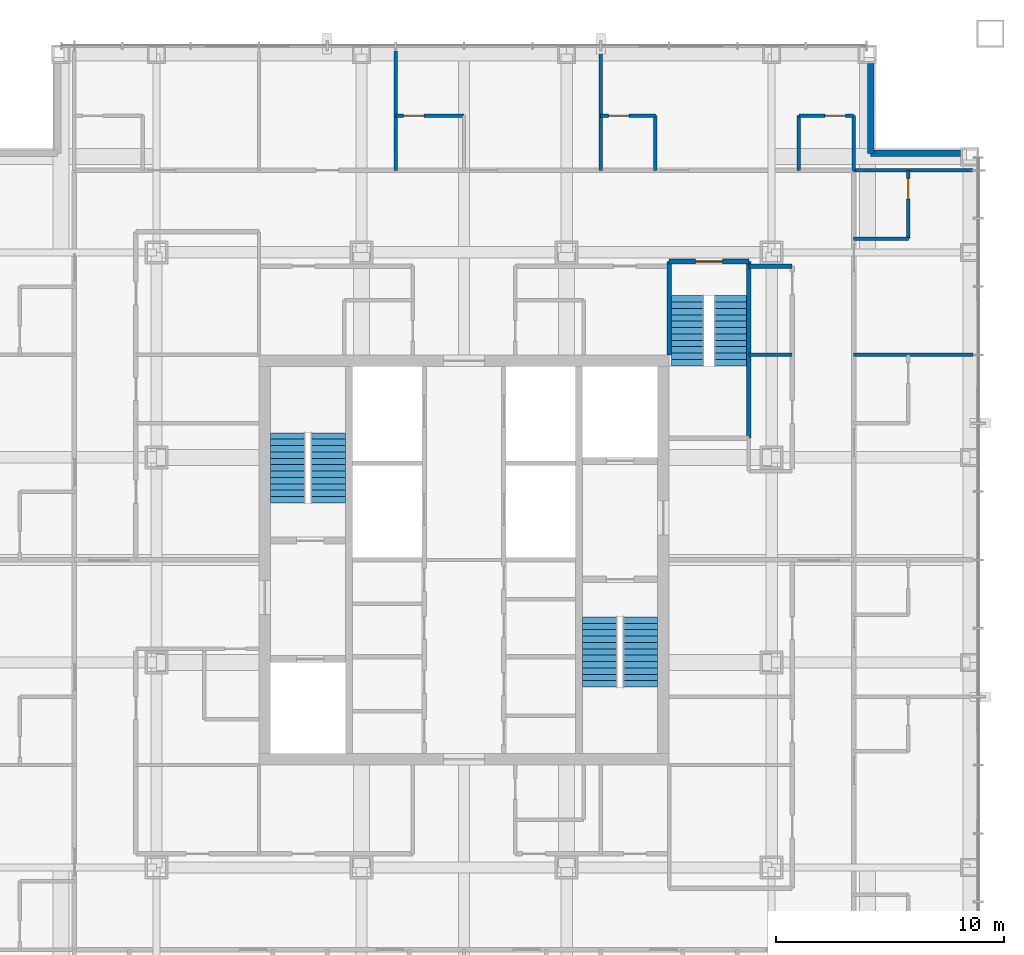
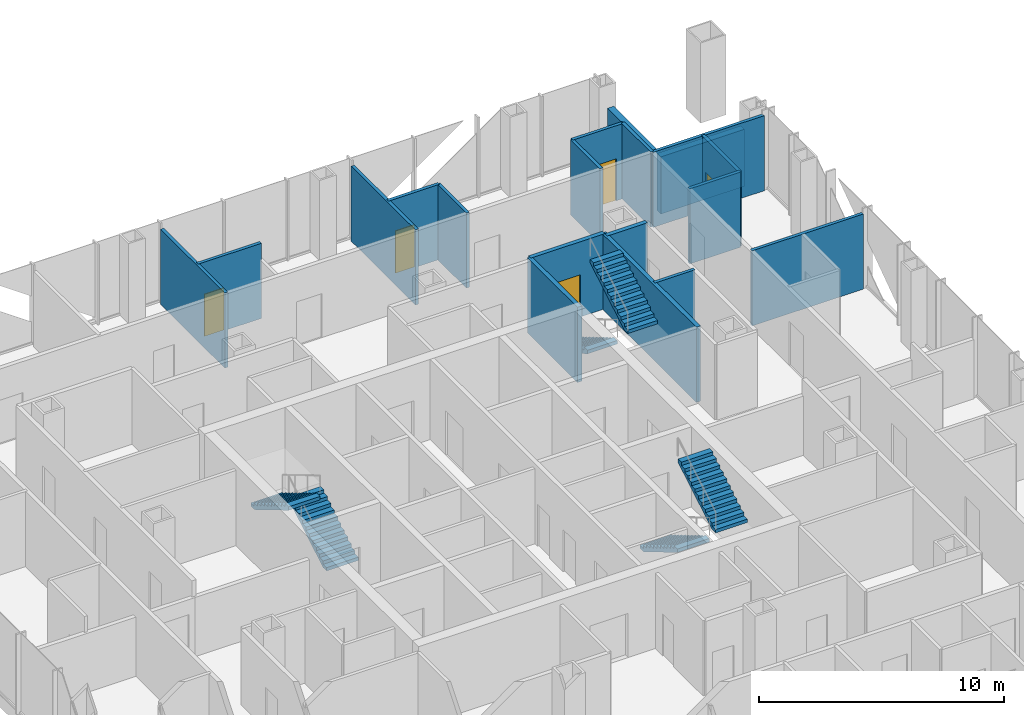
# One storey, part 15 of 16: 19 walls, 6 stair flights, 5 doors, 5 openings, 3 elements without a shape of their own.
"""IFC4 building model written with IfcOpenShell, lengths in metres."""

from ifc_helpers import new_model, si_unit, direction, frame, frame_2d, origin, place, context, subcontext, project, spatial, polyline, rectangle, outline, extrude, material, layer, layer_set, type_object, element, fill, aggregate, save


model = new_model("IFC4")

# Units and contexts
model_context = context("Model", 3, precision=1e-05, world=origin(), true_north=direction((0.0, 1.0)))
body_context = subcontext(model_context, "Body", "Model", "MODEL_VIEW")
ifc_project = project(units=[si_unit("LENGTHUNIT", "METRE"), si_unit("AREAUNIT", "SQUARE_METRE"), si_unit("VOLUMEUNIT", "CUBIC_METRE"), si_unit("PLANEANGLEUNIT", "RADIAN"), si_unit("MASSUNIT", "GRAM", prefix="KILO")], contexts=[model_context])

# Site, building, storey
site_placement = place(None, origin())
site = spatial("IfcSite", under=ifc_project, at=site_placement, CompositionType="ELEMENT")
building_placement = place(site_placement, origin())
building = spatial("IfcBuilding", under=site, at=building_placement, Name="Malebo Sky Hospital", CompositionType="ELEMENT")
storey_placement = place(building_placement, frame((0.0, 0.0, 197.0)))
storey = spatial("IfcBuildingStorey", under=building, at=storey_placement, Name="L47", CompositionType="ELEMENT", Elevation=197.0)

# Walls
ifc_material_1 = material(Name="Gypsum board on steel studs", Category="steel")
ifc_layer_1 = layer(ifc_material_1, 0.199951171875)
ifc_layer_set_1 = layer_set([ifc_layer_1], Name="CORRIDOR WALL 200")
wall_type_1 = type_object("IfcWallType", Name="CORRIDOR WALL 200", PredefinedType="PARTITIONING", material=ifc_layer_set_1)
wall_1_placement = place(storey_placement, frame((72.5, 74.89990234375, 0.0), z_axis=(0.0, 0.0, 1.0), x_axis=(1.0, 0.0, 0.0)))
element("IfcWall", 1, at=wall_1_placement, inside=storey, type_object=wall_type_1, Name="Corridor Wall 200 NCI2/2", PredefinedType="PARTITIONING", context=body_context, shape_type="SweptSolid", body=[
    extrude(rectangle(XDim=1.89990234375, YDim=0.199951171875, at=frame_2d((0.949951171875, 0.0))), origin(), (0.0, 0.0, 1.0), 3.75),
])
ifc_material_2 = material(Name="Anodised aluminium rainscreen on steel framing", Category="steel")
ifc_layer_2 = layer(ifc_material_2, 0.300048828125)
ifc_layer_set_2 = layer_set([ifc_layer_2], Name="NOTCH RAINSCREEN WALL 300")
wall_type_2 = type_object("IfcWallType", Name="NOTCH RAINSCREEN WALL 300", PredefinedType="ELEMENTEDWALL", material=ifc_layer_set_2)
for number, where, z_axis, x_axis, name in (
    (2, (77.85009765625, 83.800048828125, 0.0), (0.0, 0.0, 1.0), (0.0, -1.0, 0.0), "Notch rainscreen wall N1 L47"),
    (3, (77.85009765625, 79.85009765625, 0.0), (0.0, 0.0, 1.0), (1.0, 0.0, 0.0), "Notch rainscreen wall N2 L47"),
):
    element("IfcWall", number, at=place(storey_placement, frame(where, z_axis=z_axis, x_axis=x_axis)), inside=storey, type_object=wall_type_2, Name=name, PredefinedType="ELEMENTEDWALL", context=body_context, shape_type="SweptSolid", body=[
        extrude(rectangle(XDim=3.949951171875, YDim=0.300048828125, at=frame_2d((1.97509765625, 0.0))), origin(), (0.0, 0.0, 1.0), 2.85009765625),
    ])
ifc_layer_3 = layer(ifc_material_1, 0.14990234375)
ifc_layer_set_3 = layer_set([ifc_layer_3], Name="PARTITION 150")
wall_type_3 = type_object("IfcWallType", Name="PARTITION 150", PredefinedType="PARTITIONING", material=ifc_layer_set_3)
for number, where, z_axis, x_axis, name in (
    (4, (57.0, 79.10009765625, 0.0), (0.0, 0.0, 1.0), (0.0, 1.0, 0.0), "Partition 150 NP-3.0"),
    (5, (66.0, 79.10009765625, 0.0), (0.0, 0.0, 1.0), (0.0, 1.0, 0.0), "Partition 150 NP+6.0"),
):
    element("IfcWall", number, at=place(storey_placement, frame(where, z_axis=z_axis, x_axis=x_axis)), inside=storey, type_object=wall_type_3, Name=name, PredefinedType="PARTITIONING", context=body_context, shape_type="SweptSolid", body=[
        extrude(rectangle(XDim=5.25, YDim=0.14990234375, at=frame_2d((2.625, 0.0))), origin(), (0.0, 0.0, 1.0), 3.75),
    ])

# Wall, opening, door
wall_2_placement = place(storey_placement, frame((57.0, 81.5, 0.0), z_axis=(0.0, 0.0, 1.0), x_axis=(1.0, 0.0, 0.0)))
wall_2 = element("IfcWall", 6, at=wall_2_placement, inside=storey, type_object=wall_type_3, Name="Partition 150 NE2F", PredefinedType="PARTITIONING", context=body_context, shape_type="SweptSolid", body=[
    extrude(rectangle(XDim=3.0, YDim=0.14990234375, at=frame_2d((1.5, 0.0))), origin(), (0.0, 0.0, 1.0), 3.75),
])
opening_1_placement = place(wall_2_placement, frame((0.35009765625, 0.0, 0.0)))
opening_1 = element("IfcOpeningElement", 7, at=opening_1_placement, cuts=wall_2, Name="Opening D02", PredefinedType="OPENING", context=body_context, shape_type="SweptSolid", body=[
    extrude(rectangle(XDim=0.89990234375, YDim=2.10009765625, at=frame_2d((0.449951171875, 1.050048828125))), frame((0.0, 0.0849609375, 0.0), z_axis=(0.0, -1.0, 0.0), x_axis=(1.0, 0.0, 0.0)), (0.0, 0.0, 1.0), 0.169921875),
])
ifc_material_3 = material(Name="Hardwood-faced door leaf in steel frame", Category="steel")
door_type_1 = type_object("IfcDoorType", Name="EN-SUITE DOOR 900", OperationType="SINGLE_SWING_LEFT", PredefinedType="DOOR", material=ifc_material_3)
door_1_placement = place(opening_1_placement, origin())
door_1 = element("IfcDoor", 8, at=door_1_placement, inside=storey, type_object=door_type_1, Name="En-suite door", OperationType="SINGLE_SWING_LEFT", OverallHeight=2.10009765625, OverallWidth=0.89990234375, PredefinedType="DOOR", context=body_context, shape_type="SweptSolid", body=[
    extrude(rectangle(XDim=0.89990234375, YDim=2.10009765625, at=frame_2d((0.449951171875, 1.050048828125))), frame((0.0, 0.02490234375, 0.0), z_axis=(0.0, -1.0, 0.0), x_axis=(1.0, 0.0, 0.0)), (0.0, 0.0, 1.0), 0.050048828125),
])
fill(opening_1, door_1)

wall_3_placement = place(storey_placement, frame((66.0, 81.5, 0.0), z_axis=(0.0, 0.0, 1.0), x_axis=(1.0, 0.0, 0.0)))
wall_3 = element("IfcWall", 9, at=wall_3_placement, inside=storey, type_object=wall_type_3, Name="Partition 150 NE3F", PredefinedType="PARTITIONING", context=body_context, shape_type="SweptSolid", body=[
    extrude(rectangle(XDim=2.39990234375, YDim=0.14990234375, at=frame_2d((1.199951171875, 0.0))), origin(), (0.0, 0.0, 1.0), 3.75),
])
opening_2_placement = place(wall_3_placement, frame((0.35009765625, 0.0, 0.0)))
opening_2 = element("IfcOpeningElement", 10, at=opening_2_placement, cuts=wall_3, Name="Opening D02", PredefinedType="OPENING", context=body_context, shape_type="SweptSolid", body=[
    extrude(rectangle(XDim=0.89990234375, YDim=2.10009765625, at=frame_2d((0.449951171875, 1.050048828125))), frame((0.0, 0.0849609375, 0.0), z_axis=(0.0, -1.0, 0.0), x_axis=(1.0, 0.0, 0.0)), (0.0, 0.0, 1.0), 0.169921875),
])
door_2_placement = place(opening_2_placement, origin())
door_2 = element("IfcDoor", 11, at=door_2_placement, inside=storey, type_object=door_type_1, Name="En-suite door", OperationType="SINGLE_SWING_LEFT", OverallHeight=2.10009765625, OverallWidth=0.89990234375, PredefinedType="DOOR", context=body_context, shape_type="SweptSolid", body=[
    extrude(rectangle(XDim=0.89990234375, YDim=2.10009765625, at=frame_2d((0.449951171875, 1.050048828125))), frame((0.0, 0.02490234375, 0.0), z_axis=(0.0, -1.0, 0.0), x_axis=(1.0, 0.0, 0.0)), (0.0, 0.0, 1.0), 0.050048828125),
])
fill(opening_2, door_2)

# Wall
wall_4_placement = place(storey_placement, frame((68.39990234375, 79.10009765625, 0.0), z_axis=(0.0, 0.0, 1.0), x_axis=(0.0, 1.0, 0.0)))
element("IfcWall", 12, at=wall_4_placement, inside=storey, type_object=wall_type_3, Name="Partition 150 NE3S", PredefinedType="PARTITIONING", context=body_context, shape_type="SweptSolid", body=[
    extrude(rectangle(XDim=2.39990234375, YDim=0.14990234375, at=frame_2d((1.199951171875, 0.0))), origin(), (0.0, 0.0, 1.0), 3.75),
])

# Wall, opening, door
wall_5_placement = place(storey_placement, frame((74.699951171875, 81.5, 0.0), z_axis=(0.0, 0.0, 1.0), x_axis=(1.0, 0.0, 0.0)))
wall_5 = element("IfcWall", 13, at=wall_5_placement, inside=storey, type_object=wall_type_3, Name="Partition 150 NG3F", PredefinedType="PARTITIONING", context=body_context, shape_type="SweptSolid", body=[
    extrude(rectangle(XDim=2.400146484375, YDim=0.14990234375, at=frame_2d((1.2001953125, 0.0))), origin(), (0.0, 0.0, 1.0), 3.75),
])
opening_3_placement = place(wall_5_placement, frame((1.14990234375, 0.0, 0.0)))
opening_3 = element("IfcOpeningElement", 14, at=opening_3_placement, cuts=wall_5, Name="Opening D02", PredefinedType="OPENING", context=body_context, shape_type="SweptSolid", body=[
    extrude(rectangle(XDim=0.89990234375, YDim=2.10009765625, at=frame_2d((0.449951171875, 1.050048828125))), frame((0.0, 0.0849609375, 0.0), z_axis=(0.0, -1.0, 0.0), x_axis=(1.0, 0.0, 0.0)), (0.0, 0.0, 1.0), 0.169921875),
])
door_3_placement = place(opening_3_placement, origin())
door_3 = element("IfcDoor", 15, at=door_3_placement, inside=storey, type_object=door_type_1, Name="En-suite door", OperationType="SINGLE_SWING_RIGHT", OverallHeight=2.10009765625, OverallWidth=0.89990234375, PredefinedType="DOOR", context=body_context, shape_type="SweptSolid", body=[
    extrude(rectangle(XDim=0.89990234375, YDim=2.10009765625, at=frame_2d((0.449951171875, 1.050048828125))), frame((0.0, 0.02490234375, 0.0), z_axis=(0.0, -1.0, 0.0), x_axis=(1.0, 0.0, 0.0)), (0.0, 0.0, 1.0), 0.050048828125),
])
fill(opening_3, door_3)

# Walls
for number, where, z_axis, x_axis, name in (
    (16, (74.699951171875, 79.10009765625, 0.0), (0.0, 0.0, 1.0), (0.0, 1.0, 0.0), "Partition 150 NG3S"),
    (17, (77.10009765625, 79.10009765625, 0.0), (0.0, 0.0, 1.0), (0.0, 1.0, 0.0), "Partition 150 NEZ"),
):
    element("IfcWall", number, at=place(storey_placement, frame(where, z_axis=z_axis, x_axis=x_axis)), inside=storey, type_object=wall_type_3, Name=name, PredefinedType="PARTITIONING", context=body_context, shape_type="SweptSolid", body=[
        extrude(rectangle(XDim=2.39990234375, YDim=0.14990234375, at=frame_2d((1.199951171875, 0.0))), origin(), (0.0, 0.0, 1.0), 3.75),
    ])
for number, where, z_axis, x_axis, name in (
    (18, (77.10009765625, 71.0, 0.0), (0.0, 0.0, 1.0), (1.0, 0.0, 0.0), "Partition 150 EP-9.0"),
    (19, (77.10009765625, 79.10009765625, 0.0), (0.0, 0.0, 1.0), (1.0, 0.0, 0.0), "Partition 150 EP0"),
):
    element("IfcWall", number, at=place(storey_placement, frame(where, z_axis=z_axis, x_axis=x_axis)), inside=storey, type_object=wall_type_3, Name=name, PredefinedType="PARTITIONING", context=body_context, shape_type="SweptSolid", body=[
        extrude(rectangle(XDim=5.25, YDim=0.14990234375, at=frame_2d((2.625, 0.0))), origin(), (0.0, 0.0, 1.0), 3.75),
    ])

# Wall, opening, door
wall_6_placement = place(storey_placement, frame((79.5, 79.10009765625, 0.0), z_axis=(0.0, 0.0, 1.0), x_axis=(0.0, -1.0, 0.0)))
wall_6 = element("IfcWall", 20, at=wall_6_placement, inside=storey, type_object=wall_type_3, Name="Partition 150 EE0F", PredefinedType="PARTITIONING", context=body_context, shape_type="SweptSolid", body=[
    extrude(rectangle(XDim=3.0, YDim=0.14990234375, at=frame_2d((1.5, 0.0))), origin(), (0.0, 0.0, 1.0), 3.75),
])
opening_4_placement = place(wall_6_placement, frame((0.35009765625, 0.0, 0.0)))
opening_4 = element("IfcOpeningElement", 21, at=opening_4_placement, cuts=wall_6, Name="Opening D02", PredefinedType="OPENING", context=body_context, shape_type="SweptSolid", body=[
    extrude(rectangle(XDim=0.89990234375, YDim=2.10009765625, at=frame_2d((0.449951171875, 1.050048828125))), frame((0.0, 0.0849609375, 0.0), z_axis=(0.0, -1.0, 0.0), x_axis=(1.0, 0.0, 0.0)), (0.0, 0.0, 1.0), 0.169921875),
])
door_4_placement = place(opening_4_placement, origin())
door_4 = element("IfcDoor", 22, at=door_4_placement, inside=storey, type_object=door_type_1, Name="En-suite door", OperationType="SINGLE_SWING_LEFT", OverallHeight=2.10009765625, OverallWidth=0.89990234375, PredefinedType="DOOR", context=body_context, shape_type="SweptSolid", body=[
    extrude(rectangle(XDim=0.89990234375, YDim=2.10009765625, at=frame_2d((0.449951171875, 1.050048828125))), frame((0.0, 0.02490234375, 0.0), z_axis=(0.0, -1.0, 0.0), x_axis=(1.0, 0.0, 0.0)), (0.0, 0.0, 1.0), 0.050048828125),
])
fill(opening_4, door_4)

# Walls
wall_7_placement = place(storey_placement, frame((77.10009765625, 76.10009765625, 0.0), z_axis=(0.0, 0.0, 1.0), x_axis=(1.0, 0.0, 0.0)))
element("IfcWall", 23, at=wall_7_placement, inside=storey, type_object=wall_type_3, Name="Partition 150 EE0S", PredefinedType="PARTITIONING", context=body_context, shape_type="SweptSolid", body=[
    extrude(rectangle(XDim=2.39990234375, YDim=0.14990234375, at=frame_2d((1.199951171875, 0.0))), origin(), (0.0, 0.0, 1.0), 3.75),
])
wall_8_placement = place(storey_placement, frame((72.5, 71.0, 0.0), z_axis=(0.0, 0.0, 1.0), x_axis=(1.0, 0.0, 0.0)))
element("IfcWall", 24, at=wall_8_placement, inside=storey, type_object=wall_type_3, Name="Partition 150 ESP0", PredefinedType="PARTITIONING", context=body_context, shape_type="SweptSolid", body=[
    extrude(rectangle(XDim=1.89990234375, YDim=0.14990234375, at=frame_2d((0.949951171875, 0.0))), origin(), (0.0, 0.0, 1.0), 3.75),
])
ifc_material_4 = material(Name="Concrete C40/50", Category="concrete")
ifc_layer_4 = layer(ifc_material_4, 0.199951171875)
ifc_layer_set_4 = layer_set([ifc_layer_4], Name="STAIR ENCLOSURE WALL 200")
wall_type_4 = type_object("IfcWallType", Name="STAIR ENCLOSURE WALL 200", PredefinedType="SOLIDWALL", material=ifc_layer_set_4)
wall_9_placement = place(storey_placement, frame((69.0, 71.0, 0.0), z_axis=(0.0, 0.0, 1.0), x_axis=(0.0, 1.0, 0.0)))
element("IfcWall", 25, at=wall_9_placement, inside=storey, type_object=wall_type_4, Name="Stair Enclosure Wall 200 ST3W", PredefinedType="SOLIDWALL", context=body_context, shape_type="SweptSolid", body=[
    extrude(rectangle(XDim=4.10009765625, YDim=0.199951171875, at=frame_2d((2.050048828125, 0.0))), origin(), (0.0, 0.0, 1.0), 3.75),
])
wall_10_placement = place(storey_placement, frame((72.5, 67.35009765625, 0.0), z_axis=(0.0, 0.0, 1.0), x_axis=(0.0, 1.0, 0.0)))
element("IfcWall", 26, at=wall_10_placement, inside=storey, type_object=wall_type_4, Name="Stair Enclosure Wall 200 ST3E", PredefinedType="SOLIDWALL", context=body_context, shape_type="SweptSolid", body=[
    extrude(rectangle(XDim=7.75, YDim=0.199951171875, at=frame_2d((3.875, 0.0))), origin(), (0.0, 0.0, 1.0), 3.75),
])

# Wall, opening, door
wall_11_placement = place(storey_placement, frame((69.0, 75.10009765625, 0.0), z_axis=(0.0, 0.0, 1.0), x_axis=(1.0, 0.0, 0.0)))
wall_11 = element("IfcWall", 27, at=wall_11_placement, inside=storey, type_object=wall_type_4, Name="Stair Enclosure Wall 200 ST3N", PredefinedType="SOLIDWALL", context=body_context, shape_type="SweptSolid", body=[
    extrude(rectangle(XDim=3.5, YDim=0.199951171875, at=frame_2d((1.75, 0.0))), origin(), (0.0, 0.0, 1.0), 3.75),
])
opening_5_placement = place(wall_11_placement, frame((1.14990234375, 0.0, 0.0)))
opening_5 = element("IfcOpeningElement", 28, at=opening_5_placement, cuts=wall_11, Name="Opening D08", PredefinedType="OPENING", context=body_context, shape_type="SweptSolid", body=[
    extrude(rectangle(XDim=1.199951171875, YDim=2.10009765625, at=frame_2d((0.60009765625, 1.050048828125))), frame((0.0, 0.10986328125, 0.0), z_axis=(0.0, -1.0, 0.0), x_axis=(1.0, 0.0, 0.0)), (0.0, 0.0, 1.0), 0.219970703125),
])
door_type_2 = type_object("IfcDoorType", Name="STAIR DOOR 1200", OperationType="SINGLE_SWING_LEFT", PredefinedType="DOOR", material=ifc_material_3)
door_5_placement = place(opening_5_placement, origin())
door_5 = element("IfcDoor", 29, at=door_5_placement, inside=storey, type_object=door_type_2, Name="Stair S3 door", OperationType="SINGLE_SWING_LEFT", OverallHeight=2.10009765625, OverallWidth=1.199951171875, PredefinedType="DOOR", context=body_context, shape_type="SweptSolid", body=[
    extrude(rectangle(XDim=1.199951171875, YDim=2.10009765625, at=frame_2d((0.60009765625, 1.050048828125))), frame((0.0, 0.02490234375, 0.0), z_axis=(0.0, -1.0, 0.0), x_axis=(1.0, 0.0, 0.0)), (0.0, 0.0, 1.0), 0.050048828125),
])
fill(opening_5, door_5)

# Stair, stair flights
stair_type_1 = type_object("IfcStairType", Name="HALF-TURN STAIR 1400 R167", PredefinedType="HALF_TURN_STAIR", material=ifc_material_4)
stair_1_placement = place(storey_placement, origin())
stair_1 = element("IfcStair", 30, at=stair_1_placement, inside=storey, type_object=stair_type_1, Name="Stair S3 L47 type ST1B", PredefinedType="HALF_TURN_STAIR")
stair_flight_type_1 = type_object("IfcStairFlightType", Name="STAIR FLIGHT 1400 R167", PredefinedType="STRAIGHT", material=ifc_material_4)
stair_flight_1_placement = place(storey_placement, frame((69.800048828125, 73.60009765625, 0.0), z_axis=(0.0, 0.0, 1.0), x_axis=(0.0, -1.0, 0.0)))
stair_flight_1 = element("IfcStairFlight", 31, at=stair_flight_1_placement, type_object=stair_flight_type_1, Name="S3 flight 1 type SF1B", NumberOfRisers=12, NumberOfTreads=11, PredefinedType="STRAIGHT", RiserHeight=0.166666667, TreadLength=0.28, context=body_context, shape_type="SweptSolid", body=[
    extrude(outline(polyline([(0.0, 0.0), (0.0, 0.166748046875), (0.280029296875, 0.166748046875), (0.280029296875, 0.333251953125), (0.56005859375, 0.333251953125), (0.56005859375, 0.5), (0.840087890625, 0.5), (0.840087890625, 0.666748046875), (1.1201171875, 0.666748046875), (1.1201171875, 0.833251953125), (1.39990234375, 0.833251953125), (1.39990234375, 1.0), (1.679931640625, 1.0), (1.679931640625, 1.166748046875), (1.9599609375, 1.166748046875), (1.9599609375, 1.333251953125), (2.239990234375, 1.333251953125), (2.239990234375, 1.5), (2.52001953125, 1.5), (2.52001953125, 1.666748046875), (2.800048828125, 1.666748046875), (2.800048828125, 1.833251953125), (3.080078125, 1.833251953125), (3.080078125, 2.0), (3.080078125, 1.658935546875), (0.29296875, 0.0), (0.0, 0.0)])), frame((0.0, 0.699951171875, 0.0), z_axis=(0.0, -1.0, 0.0), x_axis=(1.0, 0.0, 0.0)), (0.0, 0.0, 1.0), 1.39990234375),
])
stair_flight_2_placement = place(storey_placement, frame((71.699951171875, 70.52001953125, 2.0), z_axis=(0.0, 0.0, 1.0), x_axis=(0.0, 1.0, 0.0)))
stair_flight_2 = element("IfcStairFlight", 32, at=stair_flight_2_placement, type_object=stair_flight_type_1, Name="S3 flight 2 type SF1B", NumberOfRisers=12, NumberOfTreads=11, PredefinedType="STRAIGHT", RiserHeight=0.166666667, TreadLength=0.28, context=body_context, shape_type="SweptSolid", body=[
    extrude(outline(polyline([(0.0, 0.0), (0.0, 0.166748046875), (0.280029296875, 0.166748046875), (0.280029296875, 0.333251953125), (0.56005859375, 0.333251953125), (0.56005859375, 0.5), (0.840087890625, 0.5), (0.840087890625, 0.666748046875), (1.1201171875, 0.666748046875), (1.1201171875, 0.833251953125), (1.39990234375, 0.833251953125), (1.39990234375, 1.0), (1.679931640625, 1.0), (1.679931640625, 1.166748046875), (1.9599609375, 1.166748046875), (1.9599609375, 1.333251953125), (2.239990234375, 1.333251953125), (2.239990234375, 1.5), (2.52001953125, 1.5), (2.52001953125, 1.666748046875), (2.800048828125, 1.666748046875), (2.800048828125, 1.833251953125), (3.080078125, 1.833251953125), (3.080078125, 2.0), (3.080078125, 1.658935546875), (0.29296875, 0.0), (0.0, 0.0)])), frame((0.0, 0.699951171875, 0.0), z_axis=(0.0, -1.0, 0.0), x_axis=(1.0, 0.0, 0.0)), (0.0, 0.0, 1.0), 1.39990234375),
])
aggregate(stair_1, [stair_flight_1, stair_flight_2])

stair_type_2 = type_object("IfcStairType", Name="HALF-TURN STAIR 1500 R167", PredefinedType="HALF_TURN_STAIR", material=ifc_material_4)
stair_2_placement = place(storey_placement, origin())
stair_2 = element("IfcStair", 33, at=stair_2_placement, inside=storey, type_object=stair_type_2, Name="Stair S1 L47 type ST1", PredefinedType="HALF_TURN_STAIR")
stair_flight_type_2 = type_object("IfcStairFlightType", Name="STAIR FLIGHT 1500 R167", PredefinedType="STRAIGHT", material=ifc_material_4)
stair_flight_3_placement = place(storey_placement, frame((54.050048828125, 64.5, 0.0), z_axis=(0.0, 0.0, 1.0), x_axis=(0.0, 1.0, 0.0)))
stair_flight_3 = element("IfcStairFlight", 34, at=stair_flight_3_placement, type_object=stair_flight_type_2, Name="S1 flight 1 type SF1", NumberOfRisers=12, NumberOfTreads=11, PredefinedType="STRAIGHT", RiserHeight=0.166666667, TreadLength=0.28, context=body_context, shape_type="SweptSolid", body=[
    extrude(outline(polyline([(0.0, 0.0), (0.0, 0.166748046875), (0.280029296875, 0.166748046875), (0.280029296875, 0.333251953125), (0.56005859375, 0.333251953125), (0.56005859375, 0.5), (0.840087890625, 0.5), (0.840087890625, 0.666748046875), (1.1201171875, 0.666748046875), (1.1201171875, 0.833251953125), (1.39990234375, 0.833251953125), (1.39990234375, 1.0), (1.679931640625, 1.0), (1.679931640625, 1.166748046875), (1.9599609375, 1.166748046875), (1.9599609375, 1.333251953125), (2.239990234375, 1.333251953125), (2.239990234375, 1.5), (2.52001953125, 1.5), (2.52001953125, 1.666748046875), (2.800048828125, 1.666748046875), (2.800048828125, 1.833251953125), (3.080078125, 1.833251953125), (3.080078125, 2.0), (3.080078125, 1.658935546875), (0.29296875, 0.0), (0.0, 0.0)])), frame((0.0, 0.75, 0.0), z_axis=(0.0, -1.0, 0.0), x_axis=(1.0, 0.0, 0.0)), (0.0, 0.0, 1.0), 1.5),
])
stair_flight_4_placement = place(storey_placement, frame((52.25, 67.580078125, 2.0), z_axis=(0.0, 0.0, 1.0), x_axis=(0.0, -1.0, 0.0)))
stair_flight_4 = element("IfcStairFlight", 35, at=stair_flight_4_placement, type_object=stair_flight_type_2, Name="S1 flight 2 type SF1", NumberOfRisers=12, NumberOfTreads=11, PredefinedType="STRAIGHT", RiserHeight=0.166666667, TreadLength=0.28, context=body_context, shape_type="SweptSolid", body=[
    extrude(outline(polyline([(0.0, 0.0), (0.0, 0.166748046875), (0.280029296875, 0.166748046875), (0.280029296875, 0.333251953125), (0.56005859375, 0.333251953125), (0.56005859375, 0.5), (0.840087890625, 0.5), (0.840087890625, 0.666748046875), (1.1201171875, 0.666748046875), (1.1201171875, 0.833251953125), (1.39990234375, 0.833251953125), (1.39990234375, 1.0), (1.679931640625, 1.0), (1.679931640625, 1.166748046875), (1.9599609375, 1.166748046875), (1.9599609375, 1.333251953125), (2.239990234375, 1.333251953125), (2.239990234375, 1.5), (2.52001953125, 1.5), (2.52001953125, 1.666748046875), (2.800048828125, 1.666748046875), (2.800048828125, 1.833251953125), (3.080078125, 1.833251953125), (3.080078125, 2.0), (3.080078125, 1.658935546875), (0.29296875, 0.0), (0.0, 0.0)])), frame((0.0, 0.75, 0.0), z_axis=(0.0, -1.0, 0.0), x_axis=(1.0, 0.0, 0.0)), (0.0, 0.0, 1.0), 1.5),
])
aggregate(stair_2, [stair_flight_3, stair_flight_4])

stair_3_placement = place(storey_placement, origin())
stair_3 = element("IfcStair", 36, at=stair_3_placement, inside=storey, type_object=stair_type_2, Name="Stair S2 L47 type ST1", PredefinedType="HALF_TURN_STAIR")
stair_flight_5_placement = place(storey_placement, frame((65.949951171875, 59.5, 0.0), z_axis=(0.0, 0.0, 1.0), x_axis=(0.0, -1.0, 0.0)))
stair_flight_5 = element("IfcStairFlight", 37, at=stair_flight_5_placement, type_object=stair_flight_type_2, Name="S2 flight 1 type SF1", NumberOfRisers=12, NumberOfTreads=11, PredefinedType="STRAIGHT", RiserHeight=0.166666667, TreadLength=0.28, context=body_context, shape_type="SweptSolid", body=[
    extrude(outline(polyline([(0.0, 0.0), (0.0, 0.166748046875), (0.280029296875, 0.166748046875), (0.280029296875, 0.333251953125), (0.56005859375, 0.333251953125), (0.56005859375, 0.5), (0.840087890625, 0.5), (0.840087890625, 0.666748046875), (1.1201171875, 0.666748046875), (1.1201171875, 0.833251953125), (1.39990234375, 0.833251953125), (1.39990234375, 1.0), (1.679931640625, 1.0), (1.679931640625, 1.166748046875), (1.9599609375, 1.166748046875), (1.9599609375, 1.333251953125), (2.239990234375, 1.333251953125), (2.239990234375, 1.5), (2.52001953125, 1.5), (2.52001953125, 1.666748046875), (2.800048828125, 1.666748046875), (2.800048828125, 1.833251953125), (3.080078125, 1.833251953125), (3.080078125, 2.0), (3.080078125, 1.658935546875), (0.29296875, 0.0), (0.0, 0.0)])), frame((0.0, 0.75, 0.0), z_axis=(0.0, -1.0, 0.0), x_axis=(1.0, 0.0, 0.0)), (0.0, 0.0, 1.0), 1.5),
])
stair_flight_6_placement = place(storey_placement, frame((67.75, 56.419921875, 2.0), z_axis=(0.0, 0.0, 1.0), x_axis=(0.0, 1.0, 0.0)))
stair_flight_6 = element("IfcStairFlight", 38, at=stair_flight_6_placement, type_object=stair_flight_type_2, Name="S2 flight 2 type SF1", NumberOfRisers=12, NumberOfTreads=11, PredefinedType="STRAIGHT", RiserHeight=0.166666667, TreadLength=0.28, context=body_context, shape_type="SweptSolid", body=[
    extrude(outline(polyline([(0.0, 0.0), (0.0, 0.166748046875), (0.280029296875, 0.166748046875), (0.280029296875, 0.333251953125), (0.56005859375, 0.333251953125), (0.56005859375, 0.5), (0.840087890625, 0.5), (0.840087890625, 0.666748046875), (1.1201171875, 0.666748046875), (1.1201171875, 0.833251953125), (1.39990234375, 0.833251953125), (1.39990234375, 1.0), (1.679931640625, 1.0), (1.679931640625, 1.166748046875), (1.9599609375, 1.166748046875), (1.9599609375, 1.333251953125), (2.239990234375, 1.333251953125), (2.239990234375, 1.5), (2.52001953125, 1.5), (2.52001953125, 1.666748046875), (2.800048828125, 1.666748046875), (2.800048828125, 1.833251953125), (3.080078125, 1.833251953125), (3.080078125, 2.0), (3.080078125, 1.658935546875), (0.29296875, 0.0), (0.0, 0.0)])), frame((0.0, 0.75, 0.0), z_axis=(0.0, -1.0, 0.0), x_axis=(1.0, 0.0, 0.0)), (0.0, 0.0, 1.0), 1.5),
])
aggregate(stair_3, [stair_flight_5, stair_flight_6])

save(model, "model.ifc")
